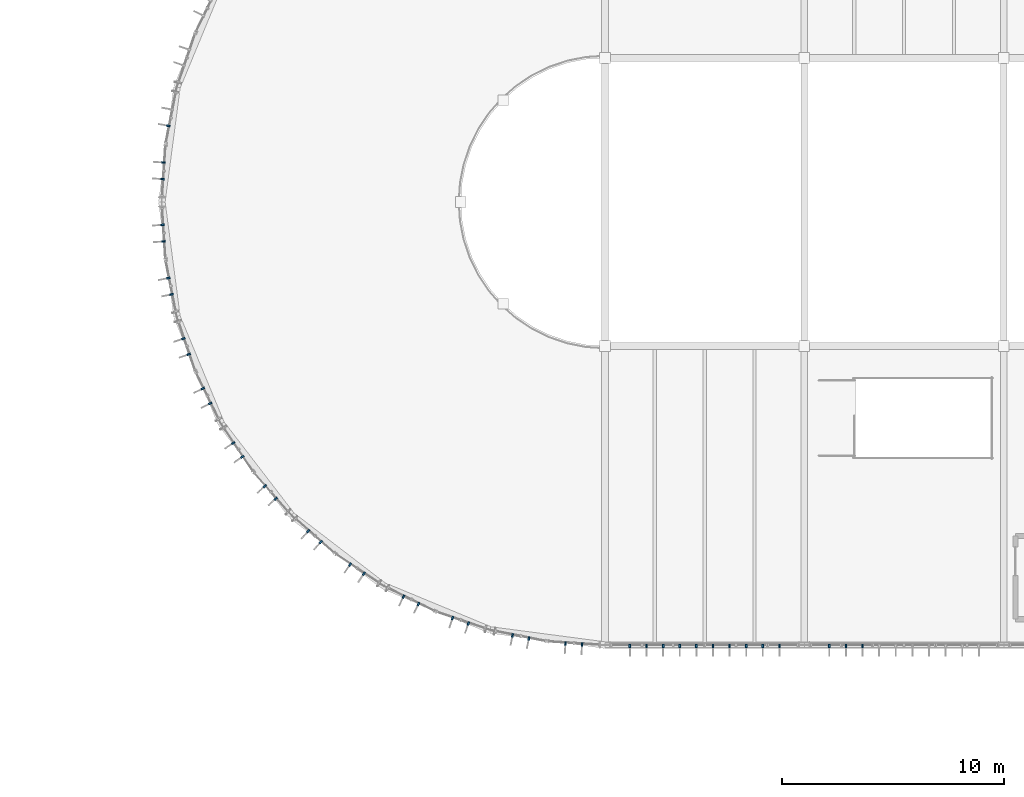
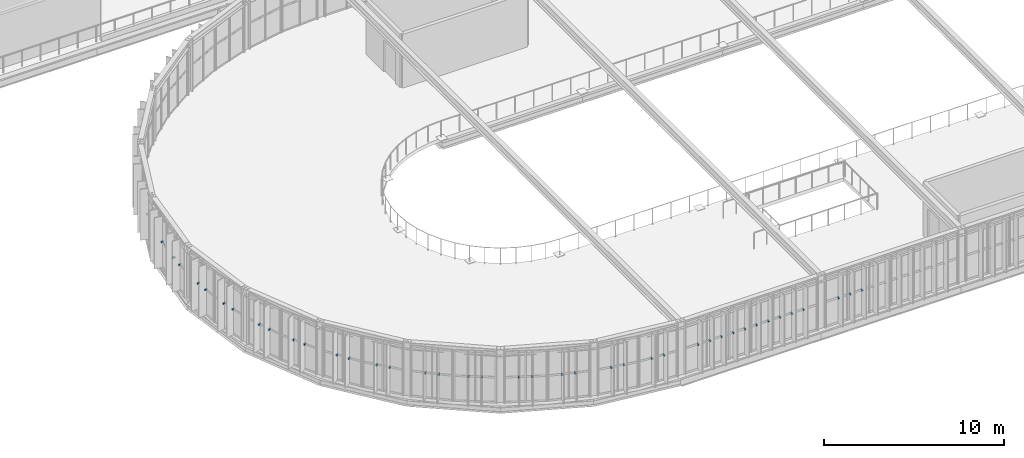
# One storey, part 127 of 152: 40 discrete accessories.
"""IFC4 building model written with IfcOpenShell, lengths in metres."""

from ifc_helpers import new_model, si_unit, derived_unit, direction, frame, origin, origin_2d, place, context, subcontext, project, spatial, rectangle, extrude, material, type_object, element, save


model = new_model("IFC4")

# Units and contexts
model_context = context("Model", 3, precision=1e-05, world=origin(), true_north=direction((0.0, 1.0)))
body_context = subcontext(model_context, "Body", "Model", "MODEL_VIEW")
ifc_project = project(units=[si_unit("LENGTHUNIT", "METRE"), si_unit("AREAUNIT", "SQUARE_METRE"), si_unit("VOLUMEUNIT", "CUBIC_METRE"), si_unit("PLANEANGLEUNIT", "RADIAN"), si_unit("MASSUNIT", "GRAM", prefix="KILO"), si_unit("THERMODYNAMICTEMPERATUREUNIT", "KELVIN"), si_unit("TIMEUNIT", "SECOND"), derived_unit("THERMALTRANSMITTANCEUNIT", [(si_unit("MASSUNIT", "GRAM", prefix="KILO"), 1), (si_unit("THERMODYNAMICTEMPERATUREUNIT", "KELVIN"), -1), (si_unit("TIMEUNIT", "SECOND"), -3)])], contexts=[model_context])

# Site, building, storey
site_placement = place(None, origin())
site = spatial("IfcSite", under=ifc_project, at=site_placement, CompositionType="ELEMENT")
building_placement = place(site_placement, origin())
building = spatial("IfcBuilding", under=site, at=building_placement, Name="Cambertide Market Hall", CompositionType="ELEMENT")
storey_placement = place(building_placement, frame((0.0, 0.0, 5.39990234375)))
storey = spatial("IfcBuildingStorey", under=building, at=storey_placement, Name="L02", CompositionType="ELEMENT", Elevation=5.39990234375)

# Discrete accessories
ifc_material = material(Name="Stainless Steel Grade 316", Category="metal")
discrete_accessory_type = type_object("IfcDiscreteAccessoryType", Name="Stainless Fin Outrigger Tie Bracket", PredefinedType="BRACKET", material=ifc_material)
for number, where, z_axis, x_axis, name in (
    (1, (49.875, 51.9599609375, 1.68505859375), (0.0, 0.0, 1.0), (-1.0, 0.0, 0.0), "CW-V1S-L02-1 Fin Tie Bracket 1"),
    (2, (49.125, 51.9599609375, 1.68505859375), (0.0, 0.0, 1.0), (-1.0, 0.0, 0.0), "CW-V1S-L02-1 Fin Tie Bracket 2"),
    (3, (48.375, 51.9599609375, 1.68505859375), (0.0, 0.0, 1.0), (-1.0, 0.0, 0.0), "CW-V1S-L02-1 Fin Tie Bracket 3"),
    (4, (47.625, 51.9599609375, 1.68505859375), (0.0, 0.0, 1.0), (-1.0, 0.0, 0.0), "CW-V1S-L02-1 Fin Tie Bracket 4"),
    (5, (46.875, 51.9599609375, 1.68505859375), (0.0, 0.0, 1.0), (-1.0, 0.0, 0.0), "CW-V1S-L02-1 Fin Tie Bracket 5"),
    (6, (46.125, 51.9599609375, 1.68505859375), (0.0, 0.0, 1.0), (-1.0, 0.0, 0.0), "CW-V1S-L02-1 Fin Tie Bracket 6"),
    (7, (45.375, 51.9599609375, 1.68505859375), (0.0, 0.0, 1.0), (-1.0, 0.0, 0.0), "CW-V1S-L02-1 Fin Tie Bracket 7"),
    (8, (44.625, 51.9599609375, 1.68505859375), (0.0, 0.0, 1.0), (-1.0, 0.0, 0.0), "CW-V1S-L02-1 Fin Tie Bracket 8"),
    (9, (43.875, 51.9599609375, 1.68505859375), (0.0, 0.0, 1.0), (-1.0, 0.0, 0.0), "CW-V1S-L02-1 Fin Tie Bracket 9"),
    (10, (43.125, 51.9599609375, 1.68505859375), (0.0, 0.0, 1.0), (-1.0, 0.0, 0.0), "CW-V1S-L02-1 Fin Tie Bracket 10"),
    (11, (53.625, 51.9599609375, 1.68505859375), (0.0, 0.0, 1.0), (-1.0, 0.0, 0.0), "CW-V1S-L02-2 Fin Tie Bracket 8"),
    (12, (52.875, 51.9599609375, 1.68505859375), (0.0, 0.0, 1.0), (-1.0, 0.0, 0.0), "CW-V1S-L02-2 Fin Tie Bracket 9"),
    (13, (52.125, 51.9599609375, 1.68505859375), (0.0, 0.0, 1.0), (-1.0, 0.0, 0.0), "CW-V1S-L02-2 Fin Tie Bracket 10"),
    (14, (22.29443359375, 75.435302734375, 1.68505859375), (0.0, 0.0, 1.0), (0.195090068226, 0.980785330885, 0.0), "CW-V1AW-L02-11 Fin Tie Bracket 1"),
    (15, (22.027587890625, 73.033447265625, 1.68505859375), (0.0, 0.0, 1.0), (0.065403211921, 0.997858917819, 0.0), "CW-V1AW-L02-12 Fin Tie Bracket 1"),
    (16, (22.07666015625, 73.781982421875, 1.68505859375), (0.0, 0.0, 1.0), (0.065403211921, 0.997858917819, 0.0), "CW-V1AW-L02-12 Fin Tie Bracket 2"),
    (17, (22.07666015625, 70.218017578125, 1.68505859375), (0.0, 0.0, 1.0), (-0.065403211921, 0.997858917819, 0.0), "CW-V1AW-L02-13 Fin Tie Bracket 1"),
    (18, (22.027587890625, 70.966552734375, 1.68505859375), (0.0, 0.0, 1.0), (-0.065403211921, 0.997858917819, 0.0), "CW-V1AW-L02-13 Fin Tie Bracket 2"),
    (19, (22.440673828125, 67.8291015625, 1.68505859375), (0.0, 0.0, 1.0), (-0.195090068226, 0.980785330885, 0.0), "CW-V1AW-L02-14 Fin Tie Bracket 1"),
    (20, (22.29443359375, 68.564697265625, 1.68505859375), (0.0, 0.0, 1.0), (-0.195090068226, 0.980785330885, 0.0), "CW-V1AW-L02-14 Fin Tie Bracket 2"),
    (21, (23.216796875, 65.122314453125, 1.68505859375), (0.0, 0.0, 1.0), (-0.32143947831, 0.94693012508, 0.0), "CW-V1AW-L02-15 Fin Tie Bracket 1"),
    (22, (22.9755859375, 65.83251953125, 1.68505859375), (0.0, 0.0, 1.0), (-0.32143947831, 0.94693012508, 0.0), "CW-V1AW-L02-15 Fin Tie Bracket 2"),
    (23, (24.186767578125, 62.908935546875, 1.68505859375), (0.0, 0.0, 1.0), (-0.442288874522, 0.896872650645, 0.0), "CW-V1AW-L02-16 Fin Tie Bracket 1"),
    (24, (23.85498046875, 63.58154296875, 1.68505859375), (0.0, 0.0, 1.0), (-0.442288874522, 0.896872650645, 0.0), "CW-V1AW-L02-16 Fin Tie Bracket 2"),
    (25, (25.636962890625, 60.4951171875, 1.68505859375), (0.0, 0.0, 1.0), (-0.555570087582, 0.831469709481, 0.0), "CW-V1AW-L02-17 Fin Tie Bracket 1"),
    (26, (25.22021484375, 61.118896484375, 1.68505859375), (0.0, 0.0, 1.0), (-0.555570087582, 0.831469709481, 0.0), "CW-V1AW-L02-17 Fin Tie Bracket 2"),
    (27, (27.146728515625, 58.608154296875, 1.68505859375), (0.0, 0.0, 1.0), (-0.659345784014, 0.751839834741, 0.0), "CW-V1AW-L02-18 Fin Tie Bracket 1"),
    (28, (26.652099609375, 59.172119140625, 1.68505859375), (0.0, 0.0, 1.0), (-0.659345784014, 0.751839834741, 0.0), "CW-V1AW-L02-18 Fin Tie Bracket 2"),
    (29, (29.172119140625, 56.652099609375, 1.68505859375), (0.0, 0.0, 1.0), (-0.751839834741, 0.659345784014, 0.0), "CW-V1AW-L02-19 Fin Tie Bracket 1"),
    (30, (28.608154296875, 57.146728515625, 1.68505859375), (0.0, 0.0, 1.0), (-0.751839834741, 0.659345784014, 0.0), "CW-V1AW-L02-19 Fin Tie Bracket 2"),
    (31, (31.118896484375, 55.22021484375, 1.68505859375), (0.0, 0.0, 1.0), (-0.831469709481, 0.555570087582, 0.0), "CW-V1AW-L02-20 Fin Tie Bracket 1"),
    (32, (30.4951171875, 55.636962890625, 1.68505859375), (0.0, 0.0, 1.0), (-0.831469709481, 0.555570087582, 0.0), "CW-V1AW-L02-20 Fin Tie Bracket 2"),
    (33, (33.58154296875, 53.85498046875, 1.68505859375), (0.0, 0.0, 1.0), (-0.896872650645, 0.442288874522, 0.0), "CW-V1AW-L02-21 Fin Tie Bracket 1"),
    (34, (32.908935546875, 54.186767578125, 1.68505859375), (0.0, 0.0, 1.0), (-0.896872650645, 0.442288874522, 0.0), "CW-V1AW-L02-21 Fin Tie Bracket 2"),
    (35, (35.83251953125, 52.9755859375, 1.68505859375), (0.0, 0.0, 1.0), (-0.94693012508, 0.32143947831, 0.0), "CW-V1AW-L02-22 Fin Tie Bracket 1"),
    (36, (35.122314453125, 53.216796875, 1.68505859375), (0.0, 0.0, 1.0), (-0.94693012508, 0.32143947831, 0.0), "CW-V1AW-L02-22 Fin Tie Bracket 2"),
    (37, (38.564697265625, 52.29443359375, 1.68505859375), (0.0, 0.0, 1.0), (-0.980785330885, 0.195090068226, 0.0), "CW-V1AW-L02-23 Fin Tie Bracket 1"),
    (38, (37.8291015625, 52.440673828125, 1.68505859375), (0.0, 0.0, 1.0), (-0.980785330885, 0.195090068226, 0.0), "CW-V1AW-L02-23 Fin Tie Bracket 2"),
    (39, (40.966552734375, 52.027587890625, 1.68505859375), (0.0, 0.0, 1.0), (-0.997858917819, 0.065403211921, 0.0), "CW-V1AW-L02-24 Fin Tie Bracket 1"),
    (40, (40.218017578125, 52.07666015625, 1.68505859375), (0.0, 0.0, 1.0), (-0.997858917819, 0.065403211921, 0.0), "CW-V1AW-L02-24 Fin Tie Bracket 2"),
):
    element("IfcDiscreteAccessory", number, at=place(storey_placement, frame(where, z_axis=z_axis, x_axis=x_axis)), inside=storey, type_object=discrete_accessory_type, Name=name, PredefinedType="BRACKET", context=body_context, shape_type="SweptSolid", body=[
        extrude(rectangle(XDim=0.080078125, YDim=0.159912109375, at=origin_2d()), origin(), (0.0, 0.0, 1.0), 0.080078125),
    ])

save(model, "model.ifc")
